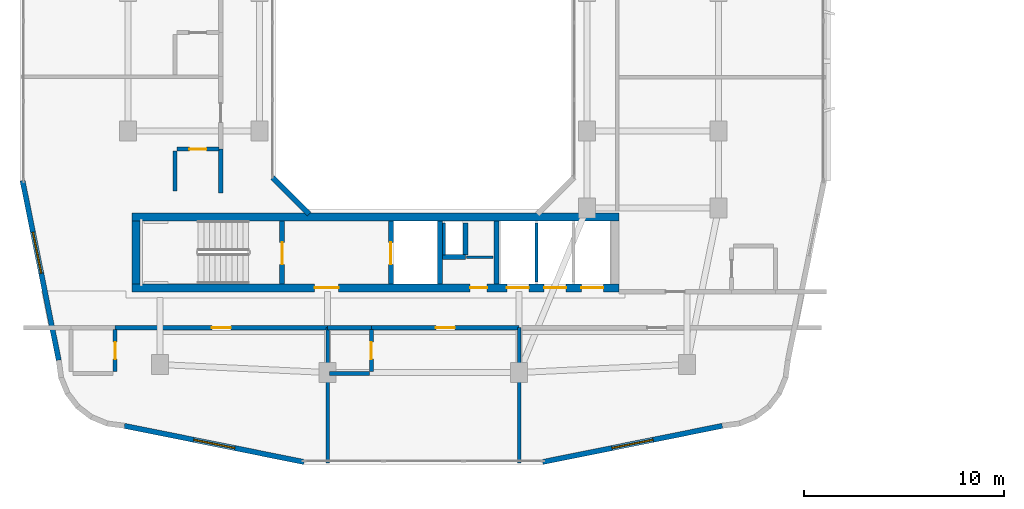
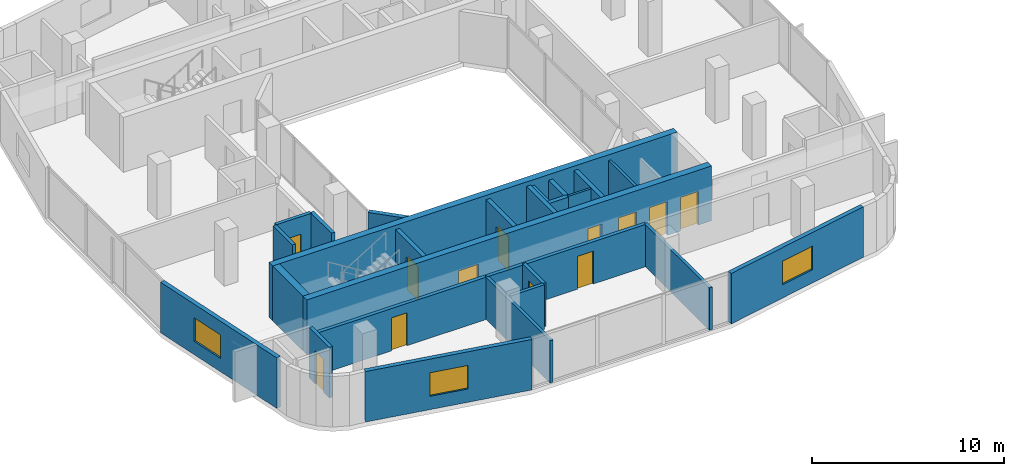
# One storey, part 8 of 18: 27 walls, 12 doors, 3 windows, 15 openings.
"""IFC4 building model written with IfcOpenShell, lengths in metres."""

from ifc_helpers import new_model, si_unit, derived_unit, direction, frame, frame_2d, origin, place, context, subcontext, project, spatial, rectangle, extrude, material, layer, layer_set, type_object, element, fill, save


model = new_model("IFC4")

# Units and contexts
model_context = context("Model", 3, precision=1e-05, world=origin(), true_north=direction((0.0, 1.0)))
body_context = subcontext(model_context, "Body", "Model", "MODEL_VIEW")
ifc_project = project(units=[si_unit("LENGTHUNIT", "METRE"), si_unit("AREAUNIT", "SQUARE_METRE"), si_unit("VOLUMEUNIT", "CUBIC_METRE"), si_unit("PLANEANGLEUNIT", "RADIAN"), si_unit("MASSUNIT", "GRAM", prefix="KILO"), derived_unit("THERMALTRANSMITTANCEUNIT", [(si_unit("POWERUNIT", "WATT"), 1), (si_unit("LENGTHUNIT", "METRE"), -2), (si_unit("THERMODYNAMICTEMPERATUREUNIT", "KELVIN"), -1)])], contexts=[model_context])

# Site, building, storey
site_placement = place(None, origin())
site = spatial("IfcSite", under=ifc_project, at=site_placement, CompositionType="ELEMENT")
building_placement = place(site_placement, origin())
building = spatial("IfcBuilding", under=site, at=building_placement, Name="Kivonza Crest Hotel", CompositionType="ELEMENT")
storey_placement = place(building_placement, frame((0.0, 0.0, 131.0)))
storey = spatial("IfcBuildingStorey", under=building, at=storey_placement, Name="L35", CompositionType="ELEMENT", Elevation=131.0)

# Walls
ifc_material_1 = material(Name="High-density acoustic masonry inter-tenancy wall", Category="masonry")
ifc_layer_1 = layer(ifc_material_1, 0.179931640625)
ifc_layer_set_1 = layer_set([ifc_layer_1], Name="High-density acoustic masonry inter-tenancy wall")
wall_type_1 = type_object("IfcWallType", Name="WL-ACOU-180", PredefinedType="SOLIDWALL", material=ifc_layer_set_1)
for number, where, z_axis, x_axis, name in (
    (1, (16.199951171875, 4.860107421875, 0.0), (0.0, 0.0, 1.0), (0.0, 1.0, 0.0), "L35 interior partition WA-L35-T1S-DIV1"),
    (2, (25.800048828125, 4.860107421875, 0.0), (0.0, 0.0, 1.0), (0.0, 1.0, 0.0), "L35 interior partition WA-L35-T1S-DIV2"),
):
    element("IfcWall", number, at=place(storey_placement, frame(where, z_axis=z_axis, x_axis=x_axis)), inside=storey, type_object=wall_type_1, Name=name, PredefinedType="SOLIDWALL", context=body_context, shape_type="SweptSolid", body=[
        extrude(rectangle(XDim=6.789794921875, YDim=0.179931640625, at=frame_2d((3.39501953125, 0.0))), origin(), (0.0, 0.0, 1.0), 2.695068359375),
    ])

# Wall, opening, door
ifc_material_2 = material(Name="Autoclaved aerated concrete blockwork", Category="masonry")
ifc_layer_2 = layer(ifc_material_2, 0.219970703125)
ifc_layer_set_2 = layer_set([ifc_layer_2], Name="Autoclaved aerated concrete blockwork")
wall_type_2 = type_object("IfcWallType", Name="WL-ACOU-220", PredefinedType="SOLIDWALL", material=ifc_layer_set_2)
wall_1_placement = place(storey_placement, frame((5.550048828125, 11.64990234375, 0.0), z_axis=(0.0, 0.0, 1.0), x_axis=(1.0, 0.0, 0.0)))
wall_1 = element("IfcWall", 3, at=wall_1_placement, inside=storey, type_object=wall_type_2, Name="L35 interior partition WA-L35-S04-MCORR", PredefinedType="SOLIDWALL", context=body_context, shape_type="SweptSolid", body=[
    extrude(rectangle(XDim=10.64990234375, YDim=0.219970703125, at=frame_2d((5.324951171875, 0.0))), origin(), (0.0, 0.0, 1.0), 2.695068359375),
])
opening_1_placement = place(wall_1_placement, frame((4.85009765625, 0.0, 0.0)))
opening_1 = element("IfcOpeningElement", 4, at=opening_1_placement, cuts=wall_1, Name="Opening DU-60", PredefinedType="OPENING", context=body_context, shape_type="SweptSolid", body=[
    extrude(rectangle(XDim=0.949951171875, YDim=2.10009765625, at=frame_2d((0.47509765625, 1.050048828125))), frame((0.0, 0.1201171875, 0.0), z_axis=(0.0, -1.0, 0.0), x_axis=(1.0, 0.0, 0.0)), (0.0, 0.0, 1.0), 0.239990234375),
])
ifc_material_3 = material(Name="Hardwood timber oak", Category="wood")
door_type_1 = type_object("IfcDoorType", Name="DR-UNIT-950", OperationType="NOTDEFINED", PredefinedType="DOOR", material=ifc_material_3)
door_1_placement = place(opening_1_placement, frame((0.949951171875, 0.0, 0.0), z_axis=(0.0, 0.0, 1.0), x_axis=(-1.0, 0.0, 0.0)))
door_1 = element("IfcDoor", 5, at=door_1_placement, inside=storey, type_object=door_type_1, Name="L35 S04 guest unit entrance fire door", OperationType="SINGLE_SWING_RIGHT", OverallHeight=2.10009765625, OverallWidth=0.949951171875, PredefinedType="DOOR", context=body_context, shape_type="SweptSolid", body=[
    extrude(rectangle(XDim=0.949951171875, YDim=2.10009765625, at=frame_2d((0.47509765625, 1.050048828125))), frame((0.0, 0.02490234375, 0.0), z_axis=(0.0, -1.0, 0.0), x_axis=(1.0, 0.0, 0.0)), (0.0, 0.0, 1.0), 0.050048828125),
])
fill(opening_1, door_1)

# Wall
wall_2_placement = place(storey_placement, frame((16.199951171875, 11.64990234375, 0.0), z_axis=(0.0, 0.0, 1.0), x_axis=(1.0, 0.0, 0.0)))
element("IfcWall", 6, at=wall_2_placement, inside=storey, type_object=wall_type_2, Name="L35 interior partition WA-L35-S05-BCORR", PredefinedType="SOLIDWALL", context=body_context, shape_type="SweptSolid", body=[
    extrude(rectangle(XDim=2.199951171875, YDim=0.219970703125, at=frame_2d((1.10009765625, 0.0))), origin(), (0.0, 0.0, 1.0), 2.695068359375),
])

# Wall, opening, door
wall_3_placement = place(storey_placement, frame((18.39990234375, 11.64990234375, 0.0), z_axis=(0.0, 0.0, 1.0), x_axis=(1.0, 0.0, 0.0)))
wall_3 = element("IfcWall", 7, at=wall_3_placement, inside=storey, type_object=wall_type_2, Name="L35 interior partition WA-L35-S05-MCORR", PredefinedType="SOLIDWALL", context=body_context, shape_type="SweptSolid", body=[
    extrude(rectangle(XDim=7.400146484375, YDim=0.219970703125, at=frame_2d((3.7001953125, 0.0))), origin(), (0.0, 0.0, 1.0), 2.695068359375),
])
opening_2_placement = place(wall_3_placement, frame((3.22509765625, 0.0, 0.0)))
opening_2 = element("IfcOpeningElement", 8, at=opening_2_placement, cuts=wall_3, Name="Opening DU-60", PredefinedType="OPENING", context=body_context, shape_type="SweptSolid", body=[
    extrude(rectangle(XDim=0.949951171875, YDim=2.10009765625, at=frame_2d((0.47509765625, 1.050048828125))), frame((0.0, 0.1201171875, 0.0), z_axis=(0.0, -1.0, 0.0), x_axis=(1.0, 0.0, 0.0)), (0.0, 0.0, 1.0), 0.239990234375),
])
door_2_placement = place(opening_2_placement, frame((0.949951171875, 0.0, 0.0), z_axis=(0.0, 0.0, 1.0), x_axis=(-1.0, 0.0, 0.0)))
door_2 = element("IfcDoor", 9, at=door_2_placement, inside=storey, type_object=door_type_1, Name="L35 S05 guest unit entrance fire door", OperationType="SINGLE_SWING_LEFT", OverallHeight=2.10009765625, OverallWidth=0.949951171875, PredefinedType="DOOR", context=body_context, shape_type="SweptSolid", body=[
    extrude(rectangle(XDim=0.949951171875, YDim=2.10009765625, at=frame_2d((0.47509765625, 1.050048828125))), frame((0.0, 0.02490234375, 0.0), z_axis=(0.0, -1.0, 0.0), x_axis=(1.0, 0.0, 0.0)), (0.0, 0.0, 1.0), 0.050048828125),
])
fill(opening_2, door_2)

# Wall
wall_4_placement = place(storey_placement, frame((10.85009765625, 18.39990234375, 0.0), z_axis=(0.0, 0.0, 1.0), x_axis=(0.0, 1.0, 0.0)))
element("IfcWall", 10, at=wall_4_placement, inside=storey, type_object=wall_type_2, Name="L35 interior partition WA-L35-W06-BCORR", PredefinedType="SOLIDWALL", context=body_context, shape_type="SweptSolid", body=[
    extrude(rectangle(XDim=2.2001953125, YDim=0.219970703125, at=frame_2d((1.10009765625, 0.0))), origin(), (0.0, 0.0, 1.0), 3.219970703125),
])

# Wall, openings, doors
ifc_material_4 = material(Name="Concrete C50/60", Category="concrete")
ifc_layer_3 = layer(ifc_material_4, 0.39990234375)
ifc_layer_set_3 = layer_set([ifc_layer_3], Name="Concrete C50/60")
wall_type_3 = type_object("IfcWallType", Name="WL-CORE-400", PredefinedType="SHEAR", material=ifc_layer_set_3)
wall_5_placement = place(storey_placement, frame((6.39990234375, 13.639892578125, 0.0), z_axis=(0.0, 0.0, 1.0), x_axis=(1.0, 0.0, 0.0)))
wall_5 = element("IfcWall", 11, at=wall_5_placement, inside=storey, type_object=wall_type_3, Name="Core wall T1-S South L35", PredefinedType="SHEAR", context=body_context, shape_type="SweptSolid", body=[
    extrude(rectangle(XDim=24.400146484375, YDim=0.39990234375, at=frame_2d((12.2001953125, 0.0))), origin(), (0.0, 0.0, 1.0), 3.5),
])
opening_3_placement = place(wall_5_placement, frame((9.14990234375, 0.0, 0.0)))
opening_3 = element("IfcOpeningElement", 12, at=opening_3_placement, cuts=wall_5, Name="Opening DF-60", PredefinedType="OPENING", context=body_context, shape_type="SweptSolid", body=[
    extrude(rectangle(XDim=1.199951171875, YDim=2.14990234375, at=frame_2d((0.60009765625, 1.074951171875))), frame((0.0, 0.2099609375, 0.0), z_axis=(0.0, -1.0, 0.0), x_axis=(1.0, 0.0, 0.0)), (0.0, 0.0, 1.0), 0.419921875),
])
opening_4_placement = place(wall_5_placement, frame((16.93994140625, 0.0, 0.0)))
opening_4 = element("IfcOpeningElement", 13, at=opening_4_placement, cuts=wall_5, Name="Opening DF-60R", PredefinedType="OPENING", context=body_context, shape_type="SweptSolid", body=[
    extrude(rectangle(XDim=0.85009765625, YDim=2.10009765625, at=frame_2d((0.425048828125, 1.050048828125))), frame((0.0, 0.2099609375, 0.0), z_axis=(0.0, -1.0, 0.0), x_axis=(1.0, 0.0, 0.0)), (0.0, 0.0, 1.0), 0.419921875),
])
opening_5_placement = place(wall_5_placement, frame((18.782958984375, 0.0, 0.0)))
opening_5 = element("IfcOpeningElement", 14, at=opening_5_placement, cuts=wall_5, Name="Opening LD-120", PredefinedType="OPENING", context=body_context, shape_type="SweptSolid", body=[
    extrude(rectangle(XDim=1.10009765625, YDim=2.14990234375, at=frame_2d((0.550048828125, 1.074951171875))), frame((0.0, 0.2099609375, 0.0), z_axis=(0.0, -1.0, 0.0), x_axis=(1.0, 0.0, 0.0)), (0.0, 0.0, 1.0), 0.419921875),
])
opening_6_placement = place(wall_5_placement, frame((20.64990234375, 0.0, 0.0)))
opening_6 = element("IfcOpeningElement", 15, at=opening_6_placement, cuts=wall_5, Name="Opening LD-120", PredefinedType="OPENING", context=body_context, shape_type="SweptSolid", body=[
    extrude(rectangle(XDim=1.10009765625, YDim=2.14990234375, at=frame_2d((0.550048828125, 1.074951171875))), frame((0.0, 0.2099609375, 0.0), z_axis=(0.0, -1.0, 0.0), x_axis=(1.0, 0.0, 0.0)), (0.0, 0.0, 1.0), 0.419921875),
])
opening_7_placement = place(wall_5_placement, frame((22.51708984375, 0.0, 0.0)))
opening_7 = element("IfcOpeningElement", 16, at=opening_7_placement, cuts=wall_5, Name="Opening LD-120", PredefinedType="OPENING", context=body_context, shape_type="SweptSolid", body=[
    extrude(rectangle(XDim=1.10009765625, YDim=2.14990234375, at=frame_2d((0.550048828125, 1.074951171875))), frame((0.0, 0.2099609375, 0.0), z_axis=(0.0, -1.0, 0.0), x_axis=(1.0, 0.0, 0.0)), (0.0, 0.0, 1.0), 0.419921875),
])
door_type_2 = type_object("IfcDoorType", Name="DR-FD60-1200", OperationType="NOTDEFINED", PredefinedType="DOOR", material=ifc_material_3)
door_3_placement = place(opening_3_placement, frame((1.199951171875, 0.0, 0.0), z_axis=(0.0, 0.0, 1.0), x_axis=(-1.0, 0.0, 0.0)))
door_3 = element("IfcDoor", 17, at=door_3_placement, inside=storey, type_object=door_type_2, Name="L35 T1-S firefighting lobby fire door", OperationType="SINGLE_SWING_LEFT", OverallHeight=2.14990234375, OverallWidth=1.199951171875, PredefinedType="DOOR", context=body_context, shape_type="SweptSolid", body=[
    extrude(rectangle(XDim=1.199951171875, YDim=2.14990234375, at=frame_2d((0.60009765625, 1.074951171875))), frame((0.0, 0.02490234375, 0.0), z_axis=(0.0, -1.0, 0.0), x_axis=(1.0, 0.0, 0.0)), (0.0, 0.0, 1.0), 0.050048828125),
])
fill(opening_3, door_3)
door_type_3 = type_object("IfcDoorType", Name="DR-FD60-850", OperationType="NOTDEFINED", PredefinedType="DOOR", material=ifc_material_3)
door_4_placement = place(opening_4_placement, frame((0.85009765625, 0.0, 0.0), z_axis=(0.0, 0.0, 1.0), x_axis=(-1.0, 0.0, 0.0)))
door_4 = element("IfcDoor", 18, at=door_4_placement, inside=storey, type_object=door_type_3, Name="L35 T1-S core room door", OperationType="SINGLE_SWING_RIGHT", OverallHeight=2.10009765625, OverallWidth=0.85009765625, PredefinedType="DOOR", context=body_context, shape_type="SweptSolid", body=[
    extrude(rectangle(XDim=0.85009765625, YDim=2.10009765625, at=frame_2d((0.425048828125, 1.050048828125))), frame((0.0, 0.02490234375, 0.0), z_axis=(0.0, -1.0, 0.0), x_axis=(1.0, 0.0, 0.0)), (0.0, 0.0, 1.0), 0.050048828125),
])
fill(opening_4, door_4)
ifc_material_5 = material(Name="Stainless steel", Category="steel")
door_type_4 = type_object("IfcDoorType", Name="DR-LD120-1100", OperationType="NOTDEFINED", PredefinedType="DOOR", material=ifc_material_5)
door_5_placement = place(opening_5_placement, frame((1.10009765625, 0.0, 0.0), z_axis=(0.0, 0.0, 1.0), x_axis=(-1.0, 0.0, 0.0)))
door_5 = element("IfcDoor", 19, at=door_5_placement, inside=storey, type_object=door_type_4, Name="L35 PL-T1-H1 passenger lift sliding landing door", OperationType="DOUBLE_DOOR_SLIDING", OverallHeight=2.14990234375, OverallWidth=1.10009765625, PredefinedType="DOOR", context=body_context, shape_type="SweptSolid", body=[
    extrude(rectangle(XDim=1.10009765625, YDim=2.14990234375, at=frame_2d((0.550048828125, 1.074951171875))), frame((0.0, 0.02490234375, 0.0), z_axis=(0.0, -1.0, 0.0), x_axis=(1.0, 0.0, 0.0)), (0.0, 0.0, 1.0), 0.050048828125),
])
fill(opening_5, door_5)
door_6_placement = place(opening_6_placement, frame((1.10009765625, 0.0, 0.0), z_axis=(0.0, 0.0, 1.0), x_axis=(-1.0, 0.0, 0.0)))
door_6 = element("IfcDoor", 20, at=door_6_placement, inside=storey, type_object=door_type_4, Name="L35 PL-T1-H2 passenger lift sliding landing door", OperationType="DOUBLE_DOOR_SLIDING", OverallHeight=2.14990234375, OverallWidth=1.10009765625, PredefinedType="DOOR", context=body_context, shape_type="SweptSolid", body=[
    extrude(rectangle(XDim=1.10009765625, YDim=2.14990234375, at=frame_2d((0.550048828125, 1.074951171875))), frame((0.0, 0.02490234375, 0.0), z_axis=(0.0, -1.0, 0.0), x_axis=(1.0, 0.0, 0.0)), (0.0, 0.0, 1.0), 0.050048828125),
])
fill(opening_6, door_6)
door_7_placement = place(opening_7_placement, frame((1.10009765625, 0.0, 0.0), z_axis=(0.0, 0.0, 1.0), x_axis=(-1.0, 0.0, 0.0)))
door_7 = element("IfcDoor", 21, at=door_7_placement, inside=storey, type_object=door_type_4, Name="L35 PL-T1-H3 passenger lift sliding landing door", OperationType="DOUBLE_DOOR_SLIDING", OverallHeight=2.14990234375, OverallWidth=1.10009765625, PredefinedType="DOOR", context=body_context, shape_type="SweptSolid", body=[
    extrude(rectangle(XDim=1.10009765625, YDim=2.14990234375, at=frame_2d((0.550048828125, 1.074951171875))), frame((0.0, 0.02490234375, 0.0), z_axis=(0.0, -1.0, 0.0), x_axis=(1.0, 0.0, 0.0)), (0.0, 0.0, 1.0), 0.050048828125),
])
fill(opening_7, door_7)

# Walls
wall_6_placement = place(storey_placement, frame((6.39990234375, 17.199951171875, 0.0), z_axis=(0.0, 0.0, 1.0), x_axis=(1.0, 0.0, 0.0)))
element("IfcWall", 22, at=wall_6_placement, inside=storey, type_object=wall_type_3, Name="Core wall T1-S North L35", PredefinedType="SHEAR", context=body_context, shape_type="SweptSolid", body=[
    extrude(rectangle(XDim=24.400146484375, YDim=0.39990234375, at=frame_2d((12.2001953125, 0.0))), origin(), (0.0, 0.0, 1.0), 3.5),
])
wall_7_placement = place(storey_placement, frame((6.60009765625, 13.840087890625, 0.0), z_axis=(0.0, 0.0, 1.0), x_axis=(0.0, 1.0, 0.0)))
element("IfcWall", 23, at=wall_7_placement, inside=storey, type_object=wall_type_3, Name="Core wall T1-S West L35", PredefinedType="SHEAR", context=body_context, shape_type="SweptSolid", body=[
    extrude(rectangle(XDim=3.159912109375, YDim=0.39990234375, at=frame_2d((1.580078125, 0.0))), origin(), (0.0, 0.0, 1.0), 3.5),
])

# Wall, opening, window
ifc_material_6 = material(Name="Precast concrete C40/50", Category="concrete")
ifc_layer_4 = layer(ifc_material_6, 0.260009765625)
ifc_layer_set_4 = layer_set([ifc_layer_4], Name="Precast concrete C40/50")
wall_type_4 = type_object("IfcWallType", Name="WL-EXT-260", PredefinedType="STANDARD", material=ifc_layer_set_4)
wall_8_placement = place(storey_placement, frame((6.01806640625, 6.72900390625, 0.0), z_axis=(0.0, 0.0, 1.0), x_axis=(0.980315963543, -0.197435082048, 0.0)))
wall_8 = element("IfcWall", 24, at=wall_8_placement, inside=storey, type_object=wall_type_4, Name="L35 T1 exterior insulated wall 7", PredefinedType="STANDARD", context=body_context, shape_type="SweptSolid", body=[
    extrude(rectangle(XDim=9.1826171875, YDim=0.260009765625, at=frame_2d((4.59130859375, 0.0))), origin(), (0.0, 0.0, 1.0), 3.219970703125),
])
opening_8_placement = place(wall_8_placement, frame((3.541015625, 0.0, 0.85009765625)))
opening_8 = element("IfcOpeningElement", 25, at=opening_8_placement, cuts=wall_8, Name="Opening WN-04", PredefinedType="OPENING", context=body_context, shape_type="SweptSolid", body=[
    extrude(rectangle(XDim=2.10009765625, YDim=1.5, at=frame_2d((1.050048828125, 0.75))), frame((0.0, 0.14013671875, 0.0), z_axis=(0.0, -1.0, 0.0), x_axis=(1.0, 0.0, 0.0)), (0.0, 0.0, 1.0), 0.280029296875),
])
ifc_material_7 = material(Name="Thermally broken bronze aluminium and low-E double glazing", Category="aluminium")
window_type = type_object("IfcWindowType", Name="WN-210x150", PartitioningType="DOUBLE_PANEL_VERTICAL", PredefinedType="WINDOW", material=ifc_material_7)
window_1_placement = place(opening_8_placement, origin())
window_1 = element("IfcWindow", 26, at=window_1_placement, inside=storey, type_object=window_type, Name="L35 T1 facade window 7", OverallHeight=1.5, OverallWidth=2.10009765625, PartitioningType="SINGLE_PANEL", PredefinedType="WINDOW", context=body_context, shape_type="SweptSolid", body=[
    extrude(rectangle(XDim=2.10009765625, YDim=1.5, at=frame_2d((1.050048828125, 0.75))), frame((0.0, 0.030029296875, 0.0), z_axis=(0.0, -1.0, 0.0), x_axis=(1.0, 0.0, 0.0)), (0.0, 0.0, 1.0), 0.06005859375),
])
fill(opening_8, window_1)

wall_9_placement = place(storey_placement, frame((26.97998046875, 4.916015625, 0.0), z_axis=(0.0, 0.0, 1.0), x_axis=(0.980315963543, 0.197435082048, 0.0)))
wall_9 = element("IfcWall", 27, at=wall_9_placement, inside=storey, type_object=wall_type_4, Name="L35 T1 exterior insulated wall 9", PredefinedType="STANDARD", context=body_context, shape_type="SweptSolid", body=[
    extrude(rectangle(XDim=9.1826171875, YDim=0.260009765625, at=frame_2d((4.59130859375, 0.0))), origin(), (0.0, 0.0, 1.0), 3.219970703125),
])
opening_9_placement = place(wall_9_placement, frame((3.541015625, 0.0, 0.85009765625)))
opening_9 = element("IfcOpeningElement", 28, at=opening_9_placement, cuts=wall_9, Name="Opening WN-04", PredefinedType="OPENING", context=body_context, shape_type="SweptSolid", body=[
    extrude(rectangle(XDim=2.10009765625, YDim=1.5, at=frame_2d((1.050048828125, 0.75))), frame((0.0, 0.14013671875, 0.0), z_axis=(0.0, -1.0, 0.0), x_axis=(1.0, 0.0, 0.0)), (0.0, 0.0, 1.0), 0.280029296875),
])
window_2_placement = place(opening_9_placement, origin())
window_2 = element("IfcWindow", 29, at=window_2_placement, inside=storey, type_object=window_type, Name="L35 T1 facade window 9", OverallHeight=1.5, OverallWidth=2.10009765625, PartitioningType="SINGLE_PANEL", PredefinedType="WINDOW", context=body_context, shape_type="SweptSolid", body=[
    extrude(rectangle(XDim=2.10009765625, YDim=1.5, at=frame_2d((1.050048828125, 0.75))), frame((0.0, 0.030029296875, 0.0), z_axis=(0.0, -1.0, 0.0), x_axis=(1.0, 0.0, 0.0)), (0.0, 0.0, 1.0), 0.06005859375),
])
fill(opening_9, window_2)

wall_10_placement = place(storey_placement, frame((0.916015625, 19.02001953125, 0.0), z_axis=(0.0, 0.0, 1.0), x_axis=(0.197435082048, -0.980315963543, 0.0)))
wall_10 = element("IfcWall", 30, at=wall_10_placement, inside=storey, type_object=wall_type_4, Name="L35 T1 exterior insulated wall 36", PredefinedType="STANDARD", context=body_context, shape_type="SweptSolid", body=[
    extrude(rectangle(XDim=9.1826171875, YDim=0.260009765625, at=frame_2d((4.59130859375, 0.0))), origin(), (0.0, 0.0, 1.0), 3.219970703125),
])
opening_10_placement = place(wall_10_placement, frame((2.64697265625, 0.0, 0.85009765625)))
opening_10 = element("IfcOpeningElement", 31, at=opening_10_placement, cuts=wall_10, Name="Opening WN-04", PredefinedType="OPENING", context=body_context, shape_type="SweptSolid", body=[
    extrude(rectangle(XDim=2.10009765625, YDim=1.5, at=frame_2d((1.050048828125, 0.75))), frame((0.0, 0.14013671875, 0.0), z_axis=(0.0, -1.0, 0.0), x_axis=(1.0, 0.0, 0.0)), (0.0, 0.0, 1.0), 0.280029296875),
])
window_3_placement = place(opening_10_placement, origin())
window_3 = element("IfcWindow", 32, at=window_3_placement, inside=storey, type_object=window_type, Name="L35 T1 facade window 36", OverallHeight=1.5, OverallWidth=2.10009765625, PartitioningType="SINGLE_PANEL", PredefinedType="WINDOW", context=body_context, shape_type="SweptSolid", body=[
    extrude(rectangle(XDim=2.10009765625, YDim=1.5, at=frame_2d((1.050048828125, 0.75))), frame((0.0, 0.030029296875, 0.0), z_axis=(0.0, -1.0, 0.0), x_axis=(1.0, 0.0, 0.0)), (0.0, 0.0, 1.0), 0.06005859375),
])
fill(opening_10, window_3)

# Walls
wall_11_placement = place(storey_placement, frame((13.444091796875, 19.172119140625, 0.0), z_axis=(0.0, 0.0, 1.0), x_axis=(0.707059717605, -0.707153841636, 0.0)))
element("IfcWall", 33, at=wall_11_placement, inside=storey, type_object=wall_type_4, Name="L35 T1 light-well exterior wall 8", PredefinedType="STANDARD", context=body_context, shape_type="SweptSolid", body=[
    extrude(rectangle(XDim=2.59375, YDim=0.260009765625, at=frame_2d((1.296875, 0.0))), origin(), (0.0, 0.0, 1.0), 3.219970703125),
])
ifc_material_8 = material(Name="Concrete blockwork fire-compartment wall", Category="masonry")
ifc_layer_5 = layer(ifc_material_8, 0.25)
ifc_layer_set_5 = layer_set([ifc_layer_5], Name="Concrete blockwork fire-compartment wall")
wall_type_5 = type_object("IfcWallType", Name="WL-FIRE-250", PredefinedType="SOLIDWALL", material=ifc_layer_set_5)
wall_12_placement = place(storey_placement, frame((23.10009765625, 15.280029296875, 0.0), z_axis=(0.0, 0.0, 1.0), x_axis=(0.0, 1.0, 0.0)))
element("IfcWall", 34, at=wall_12_placement, inside=storey, type_object=wall_type_5, Name="L35 interior partition WA-L35-T1-S-MEPR-E", PredefinedType="SOLIDWALL", context=body_context, shape_type="SweptSolid", body=[
    extrude(rectangle(XDim=1.619873046875, YDim=0.25, at=frame_2d((0.81005859375, 0.0))), origin(), (0.0, 0.0, 1.0), 3.219970703125),
])
wall_13_placement = place(storey_placement, frame((21.949951171875, 15.179931640625, 0.0), z_axis=(0.0, 0.0, 1.0), x_axis=(1.0, 0.0, 0.0)))
element("IfcWall", 35, at=wall_13_placement, inside=storey, type_object=wall_type_5, Name="L35 interior partition WA-L35-T1-S-MEPR-H", PredefinedType="SOLIDWALL", context=body_context, shape_type="SweptSolid", body=[
    extrude(rectangle(XDim=1.150146484375, YDim=0.25, at=frame_2d((0.5751953125, 0.0))), origin(), (0.0, 0.0, 1.0), 3.219970703125),
])
ifc_material_9 = material(Name="Metal-stud gypsum board partition", Category="gypsum")
ifc_layer_6 = layer(ifc_material_9, 0.125)
ifc_layer_set_6 = layer_set([ifc_layer_6], Name="Metal-stud gypsum board partition")
wall_type_6 = type_object("IfcWallType", Name="WL-PART-125", PredefinedType="PARTITIONING", material=ifc_layer_set_6)
wall_14_placement = place(storey_placement, frame((23.14990234375, 15.179931640625, 0.0), z_axis=(0.0, 0.0, 1.0), x_axis=(1.0, 0.0, 0.0)))
element("IfcWall", 36, at=wall_14_placement, inside=storey, type_object=wall_type_6, Name="L35 interior partition WP-L35-T1-S-SV2H", PredefinedType="PARTITIONING", context=body_context, shape_type="SweptSolid", body=[
    extrude(rectangle(XDim=1.35009765625, YDim=0.125, at=frame_2d((0.675048828125, 0.0))), origin(), (0.0, 0.0, 1.0), 3.219970703125),
])
ifc_material_10 = material(Name="Twin-stud acoustic gypsum board partition", Category="gypsum")
ifc_layer_7 = layer(ifc_material_10, 0.14990234375)
ifc_layer_set_7 = layer_set([ifc_layer_7], Name="Twin-stud acoustic gypsum board partition")
wall_type_7 = type_object("IfcWallType", Name="WL-PART-150", PredefinedType="PARTITIONING", material=ifc_layer_set_7)
wall_15_placement = place(storey_placement, frame((22.030029296875, 15.280029296875, 0.0), z_axis=(0.0, 0.0, 1.0), x_axis=(0.0, 1.0, 0.0)))
element("IfcWall", 37, at=wall_15_placement, inside=storey, type_object=wall_type_7, Name="L35 interior partition WA-L35-T1-S-MEPR-W", PredefinedType="PARTITIONING", context=body_context, shape_type="SweptSolid", body=[
    extrude(rectangle(XDim=1.619873046875, YDim=0.14990234375, at=frame_2d((0.81005859375, 0.0))), origin(), (0.0, 0.0, 1.0), 3.219970703125),
])
wall_16_placement = place(storey_placement, frame((26.6669921875, 13.93994140625, 0.0), z_axis=(0.0, 0.0, 1.0), x_axis=(0.0, 1.0, 0.0)))
element("IfcWall", 38, at=wall_16_placement, inside=storey, type_object=wall_type_7, Name="L35 interior partition WP-L35-T1-S-BSH-1", PredefinedType="PARTITIONING", context=body_context, shape_type="SweptSolid", body=[
    extrude(rectangle(XDim=2.9599609375, YDim=0.14990234375, at=frame_2d((1.47998046875, 0.0))), origin(), (0.0, 0.0, 1.0), 3.219970703125),
])

# Wall, opening, door
ifc_material_11 = material(Name="Moisture-resistant plumbing chase partition wall", Category="gypsum")
ifc_layer_8 = layer(ifc_material_11, 0.199951171875)
ifc_layer_set_8 = layer_set([ifc_layer_8], Name="Moisture-resistant plumbing chase partition wall")
wall_type_8 = type_object("IfcWallType", Name="WL-PLUMB-200", PredefinedType="PLUMBINGWALL", material=ifc_layer_set_8)
wall_17_placement = place(storey_placement, frame((5.550048828125, 9.449951171875, 0.0), z_axis=(0.0, 0.0, 1.0), x_axis=(0.0, 1.0, 0.0)))
wall_17 = element("IfcWall", 39, at=wall_17_placement, inside=storey, type_object=wall_type_8, Name="L35 interior partition WW-L35-S04-BV", PredefinedType="PLUMBINGWALL", context=body_context, shape_type="SweptSolid", body=[
    extrude(rectangle(XDim=2.10009765625, YDim=0.199951171875, at=frame_2d((1.050048828125, 0.0))), origin(), (0.0, 0.0, 1.0), 3.219970703125),
])
opening_11_placement = place(wall_17_placement, frame((0.625, 0.0, 0.0)))
opening_11 = element("IfcOpeningElement", 40, at=opening_11_placement, cuts=wall_17, Name="Opening DI-85", PredefinedType="OPENING", context=body_context, shape_type="SweptSolid", body=[
    extrude(rectangle(XDim=0.85009765625, YDim=2.10009765625, at=frame_2d((0.425048828125, 1.050048828125))), frame((0.0, 0.10986328125, 0.0), z_axis=(0.0, -1.0, 0.0), x_axis=(1.0, 0.0, 0.0)), (0.0, 0.0, 1.0), 0.219970703125),
])
door_type_5 = type_object("IfcDoorType", Name="DR-INT-850", OperationType="NOTDEFINED", PredefinedType="DOOR", material=ifc_material_3)
door_8_placement = place(opening_11_placement, frame((0.85009765625, 0.0, 0.0), z_axis=(0.0, 0.0, 1.0), x_axis=(-1.0, 0.0, 0.0)))
door_8 = element("IfcDoor", 41, at=door_8_placement, inside=storey, type_object=door_type_5, Name="L35 S04 en-suite bathroom door", OperationType="SINGLE_SWING_LEFT", OverallHeight=2.10009765625, OverallWidth=0.85009765625, PredefinedType="DOOR", context=body_context, shape_type="SweptSolid", body=[
    extrude(rectangle(XDim=0.85009765625, YDim=2.10009765625, at=frame_2d((0.425048828125, 1.050048828125))), frame((0.0, 0.02490234375, 0.0), z_axis=(0.0, -1.0, 0.0), x_axis=(1.0, 0.0, 0.0)), (0.0, 0.0, 1.0), 0.050048828125),
])
fill(opening_11, door_8)

wall_18_placement = place(storey_placement, frame((18.39990234375, 9.449951171875, 0.0), z_axis=(0.0, 0.0, 1.0), x_axis=(0.0, 1.0, 0.0)))
wall_18 = element("IfcWall", 42, at=wall_18_placement, inside=storey, type_object=wall_type_8, Name="L35 interior partition WW-L35-S05-BV", PredefinedType="PLUMBINGWALL", context=body_context, shape_type="SweptSolid", body=[
    extrude(rectangle(XDim=2.10009765625, YDim=0.199951171875, at=frame_2d((1.050048828125, 0.0))), origin(), (0.0, 0.0, 1.0), 2.794921875),
])
opening_12_placement = place(wall_18_placement, frame((0.625, 0.0, 0.0)))
opening_12 = element("IfcOpeningElement", 43, at=opening_12_placement, cuts=wall_18, Name="Opening DI-85", PredefinedType="OPENING", context=body_context, shape_type="SweptSolid", body=[
    extrude(rectangle(XDim=0.85009765625, YDim=2.10009765625, at=frame_2d((0.425048828125, 1.050048828125))), frame((0.0, 0.10986328125, 0.0), z_axis=(0.0, -1.0, 0.0), x_axis=(1.0, 0.0, 0.0)), (0.0, 0.0, 1.0), 0.219970703125),
])
door_9_placement = place(opening_12_placement, frame((0.85009765625, 0.0, 0.0), z_axis=(0.0, 0.0, 1.0), x_axis=(-1.0, 0.0, 0.0)))
door_9 = element("IfcDoor", 44, at=door_9_placement, inside=storey, type_object=door_type_5, Name="L35 S05 en-suite bathroom door", OperationType="SINGLE_SWING_RIGHT", OverallHeight=2.10009765625, OverallWidth=0.85009765625, PredefinedType="DOOR", context=body_context, shape_type="SweptSolid", body=[
    extrude(rectangle(XDim=0.85009765625, YDim=2.10009765625, at=frame_2d((0.425048828125, 1.050048828125))), frame((0.0, 0.02490234375, 0.0), z_axis=(0.0, -1.0, 0.0), x_axis=(1.0, 0.0, 0.0)), (0.0, 0.0, 1.0), 0.050048828125),
])
fill(opening_12, door_9)

# Wall
wall_19_placement = place(storey_placement, frame((16.300048828125, 9.35009765625, 0.0), z_axis=(0.0, 0.0, 1.0), x_axis=(1.0, 0.0, 0.0)))
element("IfcWall", 45, at=wall_19_placement, inside=storey, type_object=wall_type_8, Name="L35 interior partition WW-L35-S05-BH", PredefinedType="PLUMBINGWALL", context=body_context, shape_type="SweptSolid", body=[
    extrude(rectangle(XDim=2.0, YDim=0.199951171875, at=frame_2d((1.0, 0.0))), origin(), (0.0, 0.0, 1.0), 2.8349609375),
])

# Wall, opening, door
wall_20_placement = place(storey_placement, frame((8.64990234375, 20.60009765625, 0.0), z_axis=(0.0, 0.0, 1.0), x_axis=(1.0, 0.0, 0.0)))
wall_20 = element("IfcWall", 46, at=wall_20_placement, inside=storey, type_object=wall_type_8, Name="L35 interior partition WW-L35-W06-BH", PredefinedType="PLUMBINGWALL", context=body_context, shape_type="SweptSolid", body=[
    extrude(rectangle(XDim=2.10009765625, YDim=0.199951171875, at=frame_2d((1.050048828125, 0.0))), origin(), (0.0, 0.0, 1.0), 3.219970703125),
])
opening_13_placement = place(wall_20_placement, frame((0.625, 0.0, 0.0)))
opening_13 = element("IfcOpeningElement", 47, at=opening_13_placement, cuts=wall_20, Name="Opening DI-85", PredefinedType="OPENING", context=body_context, shape_type="SweptSolid", body=[
    extrude(rectangle(XDim=0.85009765625, YDim=2.10009765625, at=frame_2d((0.425048828125, 1.050048828125))), frame((0.0, 0.10986328125, 0.0), z_axis=(0.0, -1.0, 0.0), x_axis=(1.0, 0.0, 0.0)), (0.0, 0.0, 1.0), 0.219970703125),
])
door_10_placement = place(opening_13_placement, origin())
door_10 = element("IfcDoor", 48, at=door_10_placement, inside=storey, type_object=door_type_5, Name="L35 W06 en-suite bathroom door", OperationType="SINGLE_SWING_LEFT", OverallHeight=2.10009765625, OverallWidth=0.85009765625, PredefinedType="DOOR", context=body_context, shape_type="SweptSolid", body=[
    extrude(rectangle(XDim=0.85009765625, YDim=2.10009765625, at=frame_2d((0.425048828125, 1.050048828125))), frame((0.0, 0.02490234375, 0.0), z_axis=(0.0, -1.0, 0.0), x_axis=(1.0, 0.0, 0.0)), (0.0, 0.0, 1.0), 0.050048828125),
])
fill(opening_13, door_10)

# Wall
wall_21_placement = place(storey_placement, frame((8.550048828125, 18.5, 0.0), z_axis=(0.0, 0.0, 1.0), x_axis=(0.0, 1.0, 0.0)))
element("IfcWall", 49, at=wall_21_placement, inside=storey, type_object=wall_type_8, Name="L35 interior partition WW-L35-W06-BV", PredefinedType="PLUMBINGWALL", context=body_context, shape_type="SweptSolid", body=[
    extrude(rectangle(XDim=2.0, YDim=0.199951171875, at=frame_2d((1.0, 0.0))), origin(), (0.0, 0.0, 1.0), 3.219970703125),
])

# Wall, opening, door
ifc_layer_9 = layer(ifc_material_4, 0.25)
ifc_layer_set_9 = layer_set([ifc_layer_9], Name="Concrete C50/60")
wall_type_9 = type_object("IfcWallType", Name="WL-SHAFT-250", PredefinedType="STANDARD", material=ifc_layer_set_9)
wall_22_placement = place(storey_placement, frame((13.925048828125, 13.840087890625, 0.0), z_axis=(0.0, 0.0, 1.0), x_axis=(0.0, 1.0, 0.0)))
wall_22 = element("IfcWall", 50, at=wall_22_placement, inside=storey, type_object=wall_type_9, Name="Core shaft wall T1-S STAIR L35", PredefinedType="STANDARD", context=body_context, shape_type="SweptSolid", body=[
    extrude(rectangle(XDim=3.159912109375, YDim=0.25, at=frame_2d((1.580078125, 0.0))), origin(), (0.0, 0.0, 1.0), 3.219970703125),
])
opening_14_placement = place(wall_22_placement, frame((0.97998046875, 0.0, 0.0)))
opening_14 = element("IfcOpeningElement", 51, at=opening_14_placement, cuts=wall_22, Name="Opening DF-120", PredefinedType="OPENING", context=body_context, shape_type="SweptSolid", body=[
    extrude(rectangle(XDim=1.10009765625, YDim=2.14990234375, at=frame_2d((0.550048828125, 1.074951171875))), frame((0.0, 0.135009765625, 0.0), z_axis=(0.0, -1.0, 0.0), x_axis=(1.0, 0.0, 0.0)), (0.0, 0.0, 1.0), 0.27001953125),
])
ifc_material_12 = material(Name="Galvanised steel", Category="steel")
door_type_6 = type_object("IfcDoorType", Name="DR-FD120-1100", OperationType="NOTDEFINED", PredefinedType="DOOR", material=ifc_material_12)
door_11_placement = place(opening_14_placement, frame((1.10009765625, 0.0, 0.0), z_axis=(0.0, 0.0, 1.0), x_axis=(-1.0, 0.0, 0.0)))
door_11 = element("IfcDoor", 52, at=door_11_placement, inside=storey, type_object=door_type_6, Name="L35 T1-S stair fire door", OperationType="SINGLE_SWING_RIGHT", OverallHeight=2.14990234375, OverallWidth=1.10009765625, PredefinedType="DOOR", context=body_context, shape_type="SweptSolid", body=[
    extrude(rectangle(XDim=1.10009765625, YDim=2.14990234375, at=frame_2d((0.550048828125, 1.074951171875))), frame((0.0, 0.02490234375, 0.0), z_axis=(0.0, -1.0, 0.0), x_axis=(1.0, 0.0, 0.0)), (0.0, 0.0, 1.0), 0.050048828125),
])
fill(opening_14, door_11)

wall_23_placement = place(storey_placement, frame((19.375, 13.840087890625, 0.0), z_axis=(0.0, 0.0, 1.0), x_axis=(0.0, 1.0, 0.0)))
wall_23 = element("IfcWall", 53, at=wall_23_placement, inside=storey, type_object=wall_type_9, Name="Core shaft wall T1-S FFL-W L35", PredefinedType="STANDARD", context=body_context, shape_type="SweptSolid", body=[
    extrude(rectangle(XDim=3.159912109375, YDim=0.25, at=frame_2d((1.580078125, 0.0))), origin(), (0.0, 0.0, 1.0), 3.219970703125),
])
opening_15_placement = place(wall_23_placement, frame((0.97998046875, 0.0, 0.0)))
opening_15 = element("IfcOpeningElement", 54, at=opening_15_placement, cuts=wall_23, Name="Opening LD-120", PredefinedType="OPENING", context=body_context, shape_type="SweptSolid", body=[
    extrude(rectangle(XDim=1.10009765625, YDim=2.14990234375, at=frame_2d((0.550048828125, 1.074951171875))), frame((0.0, 0.135009765625, 0.0), z_axis=(0.0, -1.0, 0.0), x_axis=(1.0, 0.0, 0.0)), (0.0, 0.0, 1.0), 0.27001953125),
])
door_12_placement = place(opening_15_placement, origin())
door_12 = element("IfcDoor", 55, at=door_12_placement, inside=storey, type_object=door_type_4, Name="L35 FFL-T1-S firefighting lift sliding landing door", OperationType="DOUBLE_DOOR_SLIDING", OverallHeight=2.14990234375, OverallWidth=1.10009765625, PredefinedType="DOOR", context=body_context, shape_type="SweptSolid", body=[
    extrude(rectangle(XDim=1.10009765625, YDim=2.14990234375, at=frame_2d((0.550048828125, 1.074951171875))), frame((0.0, 0.02490234375, 0.0), z_axis=(0.0, -1.0, 0.0), x_axis=(1.0, 0.0, 0.0)), (0.0, 0.0, 1.0), 0.050048828125),
])
fill(opening_15, door_12)

# Walls
for number, where, z_axis, x_axis, name in (
    (56, (21.824951171875, 13.840087890625, 0.0), (0.0, 0.0, 1.0), (0.0, 1.0, 0.0), "Core shaft wall T1-S FFL-E L35"),
    (57, (24.675048828125, 13.840087890625, 0.0), (0.0, 0.0, 1.0), (0.0, 1.0, 0.0), "Core shaft wall T1-S BANK-W L35"),
):
    element("IfcWall", number, at=place(storey_placement, frame(where, z_axis=z_axis, x_axis=x_axis)), inside=storey, type_object=wall_type_9, Name=name, PredefinedType="STANDARD", context=body_context, shape_type="SweptSolid", body=[
        extrude(rectangle(XDim=3.159912109375, YDim=0.25, at=frame_2d((1.580078125, 0.0))), origin(), (0.0, 0.0, 1.0), 3.219970703125),
    ])

save(model, "model.ifc")
